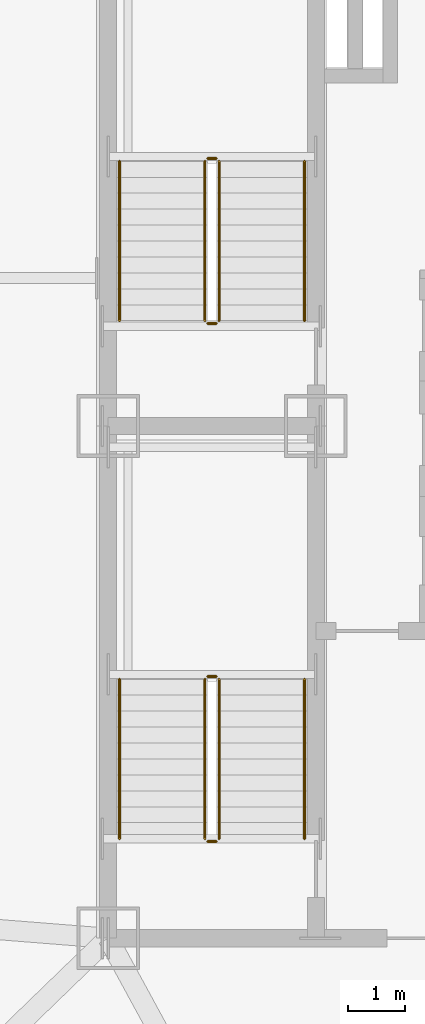
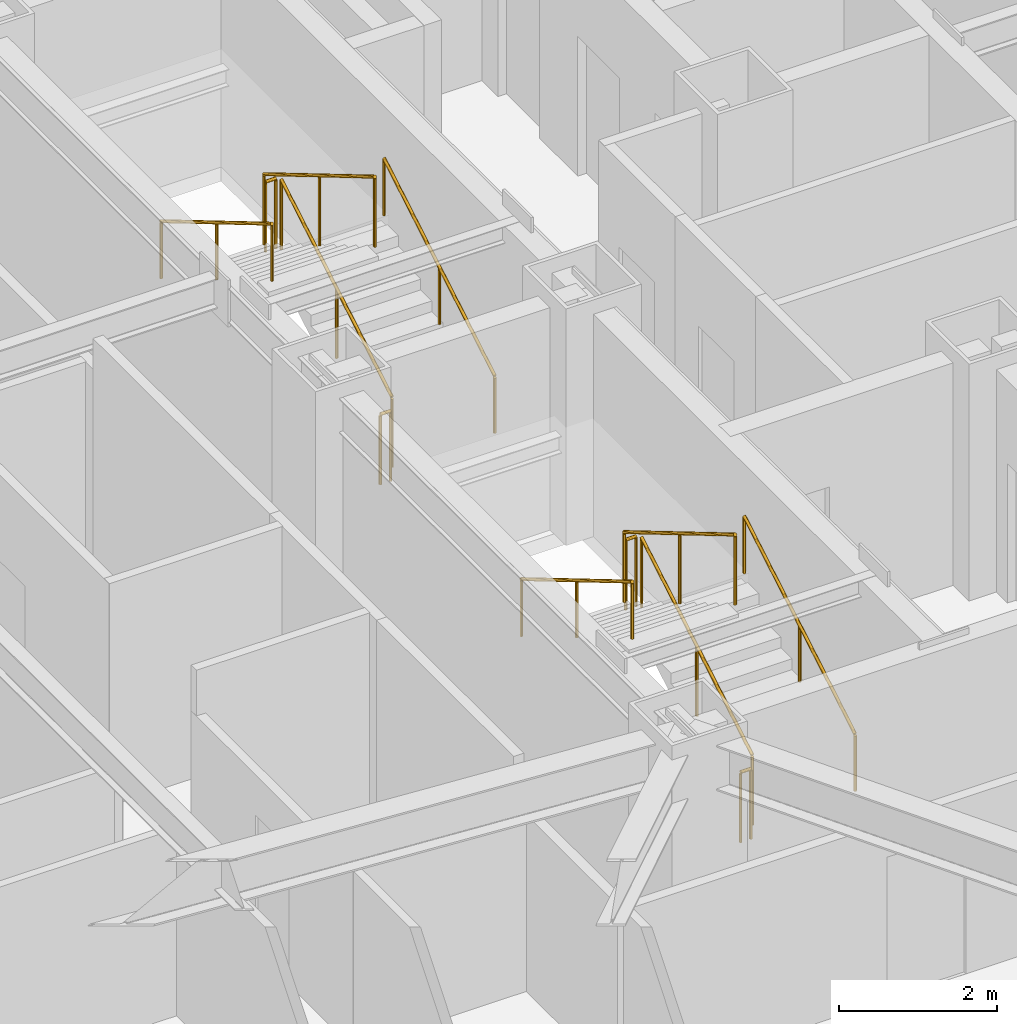
# One storey, part 12 of 12: 12 railings.
"""IFC4 building model written with IfcOpenShell, lengths in metres."""

import ifcopenshell
import ifcopenshell.guid

model = None  # the IFC model being written
_history = None  # IfcOwnerHistory: only IFC2X3 demands one
_inside = {}  # id of a spatial element -> (the spatial element, [elements in it])
_under = {}  # id of a project, library or spatial element -> (it, [spatial elements below it])
_declared = {}  # id of a project -> (the project, [libraries it declares])
_typed = {}  # id of a type object -> (the type object, [elements of that type])
_made_of = {}  # id of a material, layer set ... -> (it, [elements and type objects made of it])


def new_model(schema):
    """Start an empty IFC model of exactly this schema.

    Asked for "IFC4X3", IfcOpenShell would pick the latest addendum, in which some entities
    have other attributes; the version numbers below select the first issue.
    IFC2X3 requires an IfcOwnerHistory on every rooted entity: one is made here for all.
    """
    global model, _history
    if schema == "IFC4X3":
        model = ifcopenshell.file(schema_version=(4, 3, 0, 0))
    else:
        model = ifcopenshell.file(schema=schema)
    _inside.clear()
    _under.clear()
    _declared.clear()
    _typed.clear()
    _made_of.clear()
    _history = None
    if model.schema == "IFC2X3":
        org = make("IfcOrganization", Name="unknown")
        user = make(
            "IfcPersonAndOrganization",
            ThePerson=make("IfcPerson", FamilyName="unknown"),
            TheOrganization=org,
        )
        app = make(
            "IfcApplication",
            ApplicationDeveloper=org,
            Version="unknown",
            ApplicationFullName="unknown",
            ApplicationIdentifier="unknown",
        )
        _history = make(
            "IfcOwnerHistory",
            OwningUser=user,
            OwningApplication=app,
            ChangeAction="ADDED",
            CreationDate=0,
        )
    return model


def make(cls, **values):
    """One entity of the class cls with the attributes given. An attribute that is None is left unset."""
    return model.create_entity(
        cls, **{name: value for name, value in values.items() if value is not None}
    )


def rooted(cls, **values):
    """An entity with a GlobalId (a new one), such as an element, a storey or a relation."""
    return make(cls, GlobalId=ifcopenshell.guid.new(), OwnerHistory=_history, **values)


def si_unit(unit_type, name, prefix=None):
    """IfcSIUnit, for example si_unit("LENGTHUNIT", "METRE", prefix="MILLI")."""
    return make("IfcSIUnit", UnitType=unit_type, Prefix=prefix, Name=name)


def assignment(units):
    """IfcUnitAssignment: the units of a project."""
    return None if units is None else make("IfcUnitAssignment", Units=units)


def point(xyz):
    """IfcCartesianPoint."""
    return None if xyz is None else make("IfcCartesianPoint", Coordinates=xyz)


def direction(xyz):
    """IfcDirection."""
    return None if xyz is None else make("IfcDirection", DirectionRatios=xyz)


def frame(location, z_axis=None, x_axis=None):
    """IfcAxis2Placement3D, a coordinate frame: its origin and axes. An axis left out is left unset."""
    return make(
        "IfcAxis2Placement3D",
        Location=point(location),
        Axis=direction(z_axis),
        RefDirection=direction(x_axis),
    )


def frame_2d(location, x_axis=None):
    """IfcAxis2Placement2D, a coordinate frame in the plane: its origin and x axis."""
    return make(
        "IfcAxis2Placement2D", Location=point(location), RefDirection=direction(x_axis)
    )


def origin():
    """The frame at (0, 0, 0) with its axes left unset."""
    return frame((0.0, 0.0, 0.0))


def origin_2d():
    """The frame at (0, 0) in the plane with its x axis left unset."""
    return frame_2d((0.0, 0.0))


def place(relative_to, where):
    """IfcLocalPlacement: puts the frame where relative to a parent placement (None: the world)."""
    return make(
        "IfcLocalPlacement", PlacementRelTo=relative_to, RelativePlacement=where
    )


def context(
    kind, dimensions, precision=None, world=None, true_north=None, identifier=None
):
    """IfcGeometricRepresentationContext, for example the 3D "Model" context."""
    return make(
        "IfcGeometricRepresentationContext",
        ContextIdentifier=identifier,
        ContextType=kind,
        CoordinateSpaceDimension=dimensions,
        Precision=precision,
        WorldCoordinateSystem=world,
        TrueNorth=true_north,
    )


def subcontext(parent, identifier, kind, view, scale=None):
    """IfcGeometricRepresentationSubContext, for example "Body" below "Model"."""
    return make(
        "IfcGeometricRepresentationSubContext",
        ContextIdentifier=identifier,
        ContextType=kind,
        ParentContext=parent,
        TargetScale=scale,
        TargetView=view,
    )


def project(units=None, contexts=None):
    """IfcProject with its units and contexts."""
    return rooted(
        "IfcProject",
        Name="project",
        RepresentationContexts=contexts,
        UnitsInContext=assignment(units),
    )


def spatial(cls, under=None, at=None, **own):
    """A site, building, storey or space (cls), placed at a placement, below another one or the project."""
    s = rooted(cls, ObjectPlacement=at, **own)
    if under is not None:
        _under.setdefault(under.id(), (under, []))[1].append(s)
    return s


def profile(cls, at=None, kind="AREA", **sizes):
    """A parametric profile (cls). Its sizes go by their IFC names, for example OverallWidth=200.0."""
    return make(cls, ProfileType=kind, Position=at, **sizes)


def circle(**sizes):
    """IfcCircleProfileDef."""
    return profile("IfcCircleProfileDef", **sizes)


def extrude(swept, where, along, depth):
    """IfcExtrudedAreaSolid: the profile swept, set in the frame where, extruded along a direction by depth."""
    return make(
        "IfcExtrudedAreaSolid",
        SweptArea=swept,
        Position=where,
        ExtrudedDirection=direction(along),
        Depth=depth,
    )


def shape(context_of_items, identifier, shape_type, items):
    """IfcShapeRepresentation: the items that make up one representation, for example the "Body"."""
    return make(
        "IfcShapeRepresentation",
        ContextOfItems=context_of_items,
        RepresentationIdentifier=identifier,
        RepresentationType=shape_type,
        Items=items,
    )


def material(Name=None, Category=None):
    """IfcMaterial."""
    return make("IfcMaterial", Name=Name, Category=Category)


def made_of(thing, what):
    """Note that an element or type object is made of a material, layer set ...; save() writes the relation."""
    if what is not None:
        _made_of.setdefault(what.id(), (what, []))[1].append(thing)
    return thing


def type_object(cls, material=None, **own):
    """A type object (cls), such as IfcWallType, which elements share."""
    return made_of(rooted(cls, **own), material)


def element(
    cls,
    number,
    at=None,
    inside=None,
    cuts=None,
    type_object=None,
    material=None,
    context=None,
    identifier="Body",
    shape_type=None,
    held_by="IfcProductDefinitionShape",
    body=None,
    shapes=None,
    **own,
):
    """One element of the class cls, such as IfcWall. Its Tag is "e" and its number.

    at: its placement. inside: the storey or other place that contains it. cuts: it is an
    opening in that element (IfcRelVoidsElement). A single representation is given by context,
    identifier, shape_type and body (its items); several are given by shapes. held_by: the class
    of the entity that holds the representations. save() writes the other relations.
    """
    e = rooted(cls, Tag="e%d" % number, ObjectPlacement=at, **own)
    if body is not None:
        shapes = [shape(context, identifier, shape_type, body)]
    if shapes is not None:
        e.Representation = make(held_by, Representations=shapes)
    if inside is not None:
        _inside.setdefault(inside.id(), (inside, []))[1].append(e)
    if cuts is not None:
        rooted(
            "IfcRelVoidsElement", RelatingBuildingElement=cuts, RelatedOpeningElement=e
        )
    if type_object is not None:
        _typed.setdefault(type_object.id(), (type_object, []))[1].append(e)
    return made_of(e, material)


def aggregate(whole, parts):
    """IfcRelAggregates: a whole, such as a stair, and the parts it consists of."""
    return rooted("IfcRelAggregates", RelatingObject=whole, RelatedObjects=parts)


def save(model, path):
    """Write the relations noted so far, then the file.

    IfcRelAggregates (storeys below a building ...), IfcRelContainedInSpatialStructure (elements
    in a storey), IfcRelDefinesByType, IfcRelAssociatesMaterial and IfcRelDeclares: one each for
    every whole, place, type object, material and project.
    """
    for whole, parts in _under.values():
        aggregate(whole, parts)
    for where, things in _inside.values():
        rooted(
            "IfcRelContainedInSpatialStructure",
            RelatedElements=things,
            RelatingStructure=where,
        )
    for kind, things in _typed.values():
        rooted("IfcRelDefinesByType", RelatedObjects=things, RelatingType=kind)
    for what, things in _made_of.values():
        rooted("IfcRelAssociatesMaterial", RelatedObjects=things, RelatingMaterial=what)
    for by, libraries in _declared.values():
        rooted("IfcRelDeclares", RelatingContext=by, RelatedDefinitions=libraries)
    model.write(path)


model = new_model("IFC4")

# Units and contexts
model_context = context("Model", 3, precision=1e-05, world=origin(), true_north=direction((0.0, 1.0)))
body_context = subcontext(model_context, "Body", "Model", "MODEL_VIEW")
ifc_project = project(units=[si_unit("LENGTHUNIT", "METRE"), si_unit("AREAUNIT", "SQUARE_METRE"), si_unit("VOLUMEUNIT", "CUBIC_METRE"), si_unit("PLANEANGLEUNIT", "RADIAN"), si_unit("MASSUNIT", "GRAM", prefix="KILO")], contexts=[model_context])

# Site, building, storey
site_placement = place(None, origin())
site = spatial("IfcSite", under=ifc_project, at=site_placement, CompositionType="ELEMENT")
building_placement = place(site_placement, origin())
building = spatial("IfcBuilding", under=site, at=building_placement, Name="Khamvora Tower", CompositionType="ELEMENT")
storey_placement = place(building_placement, frame((0.0, 0.0, 188.75)))
storey = spatial("IfcBuildingStorey", under=building, at=storey_placement, Name="L48", CompositionType="ELEMENT", Elevation=188.75)

# Railings
ifc_material_1 = material(Name="Brushed Stainless Steel 316", Category="steel")
railing_type_1 = type_object("IfcRailingType", Name="RAL-HDR-920", PredefinedType="HANDRAIL", material=ifc_material_1)
railing_1_placement = place(storey_placement, frame((32.449951171875, 20.75, 0.166015625)))
element("IfcRailing", 1, at=railing_1_placement, inside=storey, type_object=railing_type_1, Name="L48 ST-01 stair handrail 1", PredefinedType="HANDRAIL", context=body_context, shape_type="SweptSolid", body=[
    extrude(circle(Radius=0.02392578125, at=origin_2d()), frame((0.0, 0.0, 0.8759765625), z_axis=(0.0, 0.860339051648, 0.50972219513), x_axis=(-1.0, 0.0, 0.0)), (0.0, 0.0, 1.0), 3.254638671875),
    extrude(circle(Radius=0.02099609375, at=origin_2d()), origin(), (0.0, 0.0, 1.0), 0.851806640625),
    extrude(circle(Radius=0.02099609375, at=origin_2d()), frame((0.0, 1.39990234375, 0.82958984375)), (0.0, 0.0, 1.0), 0.851806640625),
    extrude(circle(Radius=0.02099609375, at=origin_2d()), frame((0.0, 2.800048828125, 1.658935546875)), (0.0, 0.0, 1.0), 0.851806640625),
])
railing_2_placement = place(storey_placement, frame((29.199951171875, 23.550048828125, 1.990966796875)))
element("IfcRailing", 2, at=railing_2_placement, inside=storey, type_object=railing_type_1, Name="L48 ST-01 stair handrail 2", PredefinedType="HANDRAIL", context=body_context, shape_type="SweptSolid", body=[
    extrude(circle(Radius=0.02392578125, at=origin_2d()), frame((0.0, 0.0, 0.8759765625), z_axis=(0.0, -0.860339051648, 0.50972219513), x_axis=(1.0, 0.0, 0.0)), (0.0, 0.0, 1.0), 3.254638671875),
    extrude(circle(Radius=0.02099609375, at=origin_2d()), origin(), (0.0, 0.0, 1.0), 0.851806640625),
    extrude(circle(Radius=0.02099609375, at=origin_2d()), frame((0.0, -1.39990234375, 0.82958984375)), (0.0, 0.0, 1.0), 0.851806640625),
    extrude(circle(Radius=0.02099609375, at=origin_2d()), frame((0.0, -2.800048828125, 1.658935546875)), (0.0, 0.0, 1.0), 0.851806640625),
])
railing_3_placement = place(storey_placement, frame((32.449951171875, 29.85009765625, 0.166015625)))
element("IfcRailing", 3, at=railing_3_placement, inside=storey, type_object=railing_type_1, Name="L48 ST-02 stair handrail 1", PredefinedType="HANDRAIL", context=body_context, shape_type="SweptSolid", body=[
    extrude(circle(Radius=0.02392578125, at=origin_2d()), frame((0.0, 0.0, 0.8759765625), z_axis=(0.0, 0.860319559791, 0.509755093197), x_axis=(-1.0, 0.0, 0.0)), (0.0, 0.0, 1.0), 3.25439453125),
    extrude(circle(Radius=0.02099609375, at=origin_2d()), origin(), (0.0, 0.0, 1.0), 0.851806640625),
    extrude(circle(Radius=0.02099609375, at=origin_2d()), frame((0.0, 1.39990234375, 0.82958984375)), (0.0, 0.0, 1.0), 0.851806640625),
    extrude(circle(Radius=0.02099609375, at=origin_2d()), frame((0.0, 2.7998046875, 1.658935546875)), (0.0, 0.0, 1.0), 0.851806640625),
])
railing_4_placement = place(storey_placement, frame((29.199951171875, 32.64990234375, 1.990966796875)))
element("IfcRailing", 4, at=railing_4_placement, inside=storey, type_object=railing_type_1, Name="L48 ST-02 stair handrail 2", PredefinedType="HANDRAIL", context=body_context, shape_type="SweptSolid", body=[
    extrude(circle(Radius=0.02392578125, at=origin_2d()), frame((0.0, 0.0, 0.8759765625), z_axis=(0.0, -0.860319559791, 0.509755093197), x_axis=(1.0, 0.0, 0.0)), (0.0, 0.0, 1.0), 3.25439453125),
    extrude(circle(Radius=0.02099609375, at=origin_2d()), origin(), (0.0, 0.0, 1.0), 0.851806640625),
    extrude(circle(Radius=0.02099609375, at=origin_2d()), frame((0.0, -1.39990234375, 0.82958984375)), (0.0, 0.0, 1.0), 0.851806640625),
    extrude(circle(Radius=0.02099609375, at=origin_2d()), frame((0.0, -2.7998046875, 1.658935546875)), (0.0, 0.0, 1.0), 0.851806640625),
])
ifc_material_2 = material(Name="Stainless Steel 316", Category="steel")
railing_type_2 = type_object("IfcRailingType", Name="RAL-STG-1100", PredefinedType="GUARDRAIL", material=ifc_material_2)
railing_5_placement = place(storey_placement, frame((30.949951171875, 20.75, 0.166015625)))
element("IfcRailing", 5, at=railing_5_placement, inside=storey, type_object=railing_type_2, Name="L48 ST-01 stair guard 1", PredefinedType="GUARDRAIL", context=body_context, shape_type="SweptSolid", body=[
    extrude(circle(Radius=0.02392578125, at=origin_2d()), frame((0.0, 0.0, 1.076171875), z_axis=(0.0, 0.860339051648, 0.50972219513), x_axis=(-1.0, 0.0, 0.0)), (0.0, 0.0, 1.0), 3.254638671875),
    extrude(circle(Radius=0.02099609375, at=origin_2d()), origin(), (0.0, 0.0, 1.0), 1.052001953125),
    extrude(circle(Radius=0.02099609375, at=origin_2d()), frame((0.0, 1.39990234375, 0.82958984375)), (0.0, 0.0, 1.0), 1.052001953125),
    extrude(circle(Radius=0.02099609375, at=origin_2d()), frame((0.0, 2.800048828125, 1.658935546875)), (0.0, 0.0, 1.0), 1.052001953125),
])
railing_6_placement = place(storey_placement, frame((30.89990234375, 23.60009765625, 1.824951171875)))
element("IfcRailing", 6, at=railing_6_placement, inside=storey, type_object=railing_type_2, Name="L48 ST-01 stair guard 2", PredefinedType="GUARDRAIL", context=body_context, shape_type="SweptSolid", body=[
    extrude(circle(Radius=0.02392578125, at=origin_2d()), frame((0.0, 0.0, 1.076171875), z_axis=(-1.0, 0.0, 0.0), x_axis=(0.0, -1.0, 0.0)), (0.0, 0.0, 1.0), 0.14990234375),
    extrude(circle(Radius=0.02099609375, at=origin_2d()), origin(), (0.0, 0.0, 1.0), 1.052001953125),
    extrude(circle(Radius=0.02099609375, at=origin_2d()), frame((-0.14990234375, 0.0, 0.0)), (0.0, 0.0, 1.0), 1.052001953125),
])
railing_7_placement = place(storey_placement, frame((30.699951171875, 23.550048828125, 1.990966796875)))
element("IfcRailing", 7, at=railing_7_placement, inside=storey, type_object=railing_type_2, Name="L48 ST-01 stair guard 3", PredefinedType="GUARDRAIL", context=body_context, shape_type="SweptSolid", body=[
    extrude(circle(Radius=0.02392578125, at=origin_2d()), frame((0.0, 0.0, 1.076171875), z_axis=(0.0, -0.860339051648, 0.50972219513), x_axis=(1.0, 0.0, 0.0)), (0.0, 0.0, 1.0), 3.254638671875),
    extrude(circle(Radius=0.02099609375, at=origin_2d()), origin(), (0.0, 0.0, 1.0), 1.052001953125),
    extrude(circle(Radius=0.02099609375, at=origin_2d()), frame((0.0, -1.39990234375, 0.82958984375)), (0.0, 0.0, 1.0), 1.052001953125),
    extrude(circle(Radius=0.02099609375, at=origin_2d()), frame((0.0, -2.800048828125, 1.658935546875)), (0.0, 0.0, 1.0), 1.052001953125),
])
railing_8_placement = place(storey_placement, frame((30.89990234375, 20.699951171875, 0.0)))
element("IfcRailing", 8, at=railing_8_placement, inside=storey, type_object=railing_type_2, Name="L48 ST-01 stair guard 4", PredefinedType="GUARDRAIL", context=body_context, shape_type="SweptSolid", body=[
    extrude(circle(Radius=0.02392578125, at=origin_2d()), frame((0.0, 0.0, 1.076171875), z_axis=(-1.0, 0.0, 0.0), x_axis=(0.0, -1.0, 0.0)), (0.0, 0.0, 1.0), 0.14990234375),
    extrude(circle(Radius=0.02099609375, at=origin_2d()), origin(), (0.0, 0.0, 1.0), 1.052001953125),
    extrude(circle(Radius=0.02099609375, at=origin_2d()), frame((-0.14990234375, 0.0, 0.0)), (0.0, 0.0, 1.0), 1.052001953125),
])
railing_9_placement = place(storey_placement, frame((30.949951171875, 29.85009765625, 0.166015625)))
element("IfcRailing", 9, at=railing_9_placement, inside=storey, type_object=railing_type_2, Name="L48 ST-02 stair guard 1", PredefinedType="GUARDRAIL", context=body_context, shape_type="SweptSolid", body=[
    extrude(circle(Radius=0.02392578125, at=origin_2d()), frame((0.0, 0.0, 1.076171875), z_axis=(0.0, 0.860319559791, 0.509755093197), x_axis=(-1.0, 0.0, 0.0)), (0.0, 0.0, 1.0), 3.25439453125),
    extrude(circle(Radius=0.02099609375, at=origin_2d()), origin(), (0.0, 0.0, 1.0), 1.052001953125),
    extrude(circle(Radius=0.02099609375, at=origin_2d()), frame((0.0, 1.39990234375, 0.82958984375)), (0.0, 0.0, 1.0), 1.052001953125),
    extrude(circle(Radius=0.02099609375, at=origin_2d()), frame((0.0, 2.7998046875, 1.658935546875)), (0.0, 0.0, 1.0), 1.052001953125),
])
railing_10_placement = place(storey_placement, frame((30.89990234375, 32.699951171875, 1.824951171875)))
element("IfcRailing", 10, at=railing_10_placement, inside=storey, type_object=railing_type_2, Name="L48 ST-02 stair guard 2", PredefinedType="GUARDRAIL", context=body_context, shape_type="SweptSolid", body=[
    extrude(circle(Radius=0.02392578125, at=origin_2d()), frame((0.0, 0.0, 1.076171875), z_axis=(-1.0, 0.0, 0.0), x_axis=(0.0, -1.0, 0.0)), (0.0, 0.0, 1.0), 0.14990234375),
    extrude(circle(Radius=0.02099609375, at=origin_2d()), origin(), (0.0, 0.0, 1.0), 1.052001953125),
    extrude(circle(Radius=0.02099609375, at=origin_2d()), frame((-0.14990234375, 0.0, 0.0)), (0.0, 0.0, 1.0), 1.052001953125),
])
railing_11_placement = place(storey_placement, frame((30.699951171875, 32.64990234375, 1.990966796875)))
element("IfcRailing", 11, at=railing_11_placement, inside=storey, type_object=railing_type_2, Name="L48 ST-02 stair guard 3", PredefinedType="GUARDRAIL", context=body_context, shape_type="SweptSolid", body=[
    extrude(circle(Radius=0.02392578125, at=origin_2d()), frame((0.0, 0.0, 1.076171875), z_axis=(0.0, -0.860319559791, 0.509755093197), x_axis=(1.0, 0.0, 0.0)), (0.0, 0.0, 1.0), 3.25439453125),
    extrude(circle(Radius=0.02099609375, at=origin_2d()), origin(), (0.0, 0.0, 1.0), 1.052001953125),
    extrude(circle(Radius=0.02099609375, at=origin_2d()), frame((0.0, -1.39990234375, 0.82958984375)), (0.0, 0.0, 1.0), 1.052001953125),
    extrude(circle(Radius=0.02099609375, at=origin_2d()), frame((0.0, -2.7998046875, 1.658935546875)), (0.0, 0.0, 1.0), 1.052001953125),
])
railing_12_placement = place(storey_placement, frame((30.89990234375, 29.800048828125, 0.0)))
element("IfcRailing", 12, at=railing_12_placement, inside=storey, type_object=railing_type_2, Name="L48 ST-02 stair guard 4", PredefinedType="GUARDRAIL", context=body_context, shape_type="SweptSolid", body=[
    extrude(circle(Radius=0.02392578125, at=origin_2d()), frame((0.0, 0.0, 1.076171875), z_axis=(-1.0, 0.0, 0.0), x_axis=(0.0, -1.0, 0.0)), (0.0, 0.0, 1.0), 0.14990234375),
    extrude(circle(Radius=0.02099609375, at=origin_2d()), origin(), (0.0, 0.0, 1.0), 1.052001953125),
    extrude(circle(Radius=0.02099609375, at=origin_2d()), frame((-0.14990234375, 0.0, 0.0)), (0.0, 0.0, 1.0), 1.052001953125),
])

save(model, "model.ifc")
